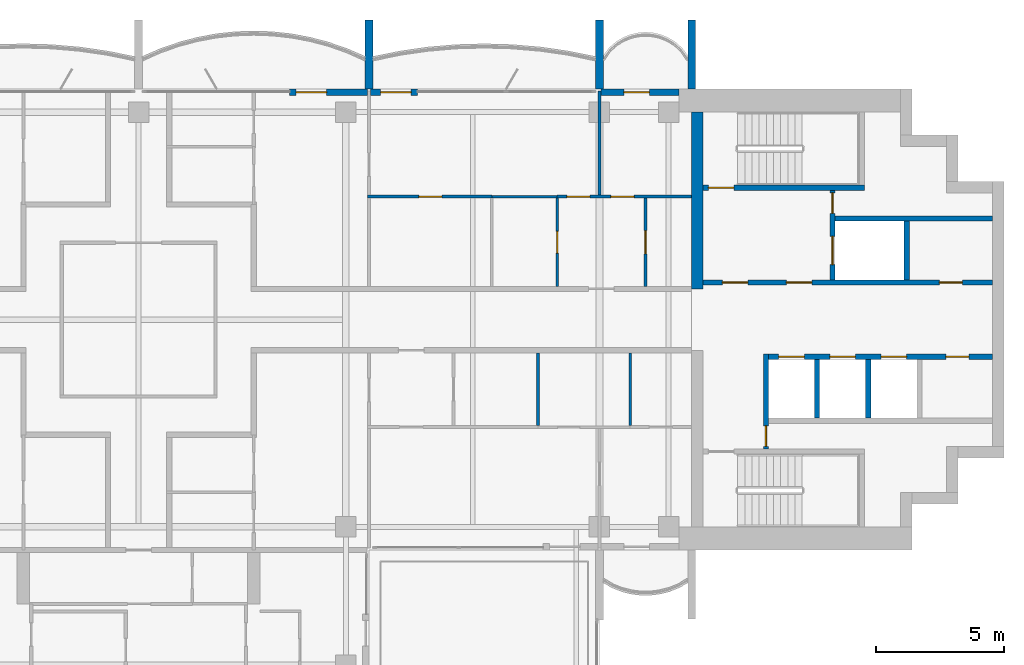
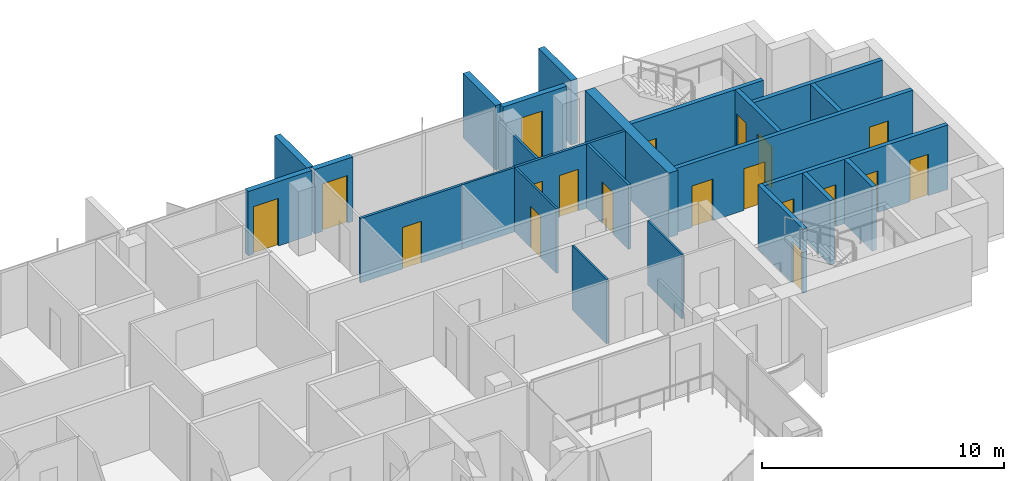
# One storey, part 11 of 16: 24 walls, 19 doors, 19 openings.
"""IFC4 building model written with IfcOpenShell, lengths in metres."""

from ifc_helpers import new_model, si_unit, direction, frame, frame_2d, origin, place, context, subcontext, project, spatial, rectangle, extrude, material, layer, layer_set, type_object, element, fill, save


model = new_model("IFC4")

# Units and contexts
model_context = context("Model", 3, precision=1e-05, world=origin(), true_north=direction((0.0, 1.0)))
body_context = subcontext(model_context, "Body", "Model", "MODEL_VIEW")
ifc_project = project(units=[si_unit("LENGTHUNIT", "METRE"), si_unit("AREAUNIT", "SQUARE_METRE"), si_unit("VOLUMEUNIT", "CUBIC_METRE"), si_unit("PLANEANGLEUNIT", "RADIAN"), si_unit("MASSUNIT", "GRAM", prefix="KILO")], contexts=[model_context])

# Site, building, storey
site_placement = place(None, origin())
site = spatial("IfcSite", under=ifc_project, at=site_placement, CompositionType="ELEMENT")
building_placement = place(site_placement, origin())
building = spatial("IfcBuilding", under=site, at=building_placement, Name="Perihelion Cross Residences", CompositionType="ELEMENT")
storey_placement = place(building_placement, frame((0.0, 0.0, 267.5)))
storey = spatial("IfcBuildingStorey", under=building, at=storey_placement, Name="L68", CompositionType="ELEMENT", Elevation=267.5)

# Wall, opening, door
ifc_material_1 = material(Name="Concrete C30/37, bronze-clad", Category="concrete")
ifc_layer_1 = layer(ifc_material_1, 0.25)
ifc_layer_set_1 = layer_set([ifc_layer_1], Name="Bronze-clad pier wall 250")
wall_type_1 = type_object("IfcWallType", Name="Bronze-clad pier wall 250", PredefinedType="SOLIDWALL", material=ifc_layer_set_1)
wall_1_placement = place(storey_placement, frame((21.10009765625, 8.875, 0.0), z_axis=(0.0, 0.0, 1.0), x_axis=(-1.0, 0.0, 0.0)))
wall_1 = element("IfcWall", 1, at=wall_1_placement, inside=storey, type_object=wall_type_1, Name="Wall FW1 L68 east side north bay 1 pier", PredefinedType="SOLIDWALL", context=body_context, shape_type="SweptSolid", body=[
    extrude(rectangle(XDim=3.0400390625, YDim=0.25, at=frame_2d((1.52001953125, 0.0))), origin(), (0.0, 0.0, 1.0), 3.25),
])
opening_1_placement = place(wall_1_placement, frame((1.14990234375, 0.0, 0.0)))
opening_1 = element("IfcOpeningElement", 2, at=opening_1_placement, cuts=wall_1, Name="Opening L68.E01", PredefinedType="OPENING", context=body_context, shape_type="SweptSolid", body=[
    extrude(rectangle(XDim=1.0, YDim=2.39990234375, at=frame_2d((0.5, 1.199951171875))), frame((0.0, 0.135009765625, 0.0), z_axis=(0.0, -1.0, 0.0), x_axis=(1.0, 0.0, 0.0)), (0.0, 0.0, 1.0), 0.27001953125),
])
ifc_material_2 = material(Name="Bronze anodised aluminium, glazed", Category="aluminium")
door_type_1 = type_object("IfcDoorType", Name="Balcony door 1000 x 2400", OperationType="NOTDEFINED", PredefinedType="DOOR", material=ifc_material_2)
door_1_placement = place(opening_1_placement, origin())
door_1 = element("IfcDoor", 3, at=door_1_placement, inside=storey, type_object=door_type_1, Name="Door L68.E01 east side north bay 1", OperationType="SINGLE_SWING_LEFT", OverallHeight=2.39990234375, OverallWidth=1.0, PredefinedType="DOOR", context=body_context, shape_type="SweptSolid", body=[
    extrude(rectangle(XDim=1.0, YDim=2.39990234375, at=frame_2d((0.5, 1.199951171875))), frame((0.0, 0.02490234375, 0.0), z_axis=(0.0, -1.0, 0.0), x_axis=(1.0, 0.0, 0.0)), (0.0, 0.0, 1.0), 0.050048828125),
])
fill(opening_1, door_1)

wall_2_placement = place(storey_placement, frame((10.89990234375, 8.875, 0.0), z_axis=(0.0, 0.0, 1.0), x_axis=(-1.0, 0.0, 0.0)))
wall_2 = element("IfcWall", 4, at=wall_2_placement, inside=storey, type_object=wall_type_1, Name="Wall FW1 L68 east side north bay 2 pier", PredefinedType="SOLIDWALL", context=body_context, shape_type="SweptSolid", body=[
    extrude(rectangle(XDim=1.83984375, YDim=0.25, at=frame_2d((0.919921875, 0.0))), origin(), (0.0, 0.0, 1.0), 3.25),
])
opening_2_placement = place(wall_2_placement, frame((0.25, 0.0, 0.0)))
opening_2 = element("IfcOpeningElement", 5, at=opening_2_placement, cuts=wall_2, Name="Opening L68.E02", PredefinedType="OPENING", context=body_context, shape_type="SweptSolid", body=[
    extrude(rectangle(XDim=1.199951171875, YDim=2.39990234375, at=frame_2d((0.60009765625, 1.199951171875))), frame((0.0, 0.135009765625, 0.0), z_axis=(0.0, -1.0, 0.0), x_axis=(1.0, 0.0, 0.0)), (0.0, 0.0, 1.0), 0.27001953125),
])
ifc_material_3 = material(Name="Bronze anodised aluminium, glazed", Category="aluminium")
door_type_2 = type_object("IfcDoorType", Name="Balcony door 1200 x 2400", OperationType="NOTDEFINED", PredefinedType="DOOR", material=ifc_material_3)
door_2_placement = place(opening_2_placement, origin())
door_2 = element("IfcDoor", 6, at=door_2_placement, inside=storey, type_object=door_type_2, Name="Door L68.E02 east side north bay 2", OperationType="SINGLE_SWING_RIGHT", OverallHeight=2.39990234375, OverallWidth=1.199951171875, PredefinedType="DOOR", context=body_context, shape_type="SweptSolid", body=[
    extrude(rectangle(XDim=1.199951171875, YDim=2.39990234375, at=frame_2d((0.60009765625, 1.199951171875))), frame((0.0, 0.02490234375, 0.0), z_axis=(0.0, -1.0, 0.0), x_axis=(1.0, 0.0, 0.0)), (0.0, 0.0, 1.0), 0.050048828125),
])
fill(opening_2, door_2)

wall_3_placement = place(storey_placement, frame((8.93994140625, 8.875, 0.0), z_axis=(0.0, 0.0, 1.0), x_axis=(-1.0, 0.0, 0.0)))
wall_3 = element("IfcWall", 7, at=wall_3_placement, inside=storey, type_object=wall_type_1, Name="Wall FW1 L68 north side east bay 1 pier", PredefinedType="SOLIDWALL", context=body_context, shape_type="SweptSolid", body=[
    extrude(rectangle(XDim=3.0400390625, YDim=0.25, at=frame_2d((1.52001953125, 0.0))), origin(), (0.0, 0.0, 1.0), 3.25),
])
opening_3_placement = place(wall_3_placement, frame((1.590087890625, 0.0, 0.0)))
opening_3 = element("IfcOpeningElement", 8, at=opening_3_placement, cuts=wall_3, Name="Opening L68.E03", PredefinedType="OPENING", context=body_context, shape_type="SweptSolid", body=[
    extrude(rectangle(XDim=1.199951171875, YDim=2.39990234375, at=frame_2d((0.60009765625, 1.199951171875))), frame((0.0, 0.135009765625, 0.0), z_axis=(0.0, -1.0, 0.0), x_axis=(1.0, 0.0, 0.0)), (0.0, 0.0, 1.0), 0.27001953125),
])
door_3_placement = place(opening_3_placement, origin())
door_3 = element("IfcDoor", 9, at=door_3_placement, inside=storey, type_object=door_type_2, Name="Door L68.E03 north side east bay 1", OperationType="SINGLE_SWING_LEFT", OverallHeight=2.39990234375, OverallWidth=1.199951171875, PredefinedType="DOOR", context=body_context, shape_type="SweptSolid", body=[
    extrude(rectangle(XDim=1.199951171875, YDim=2.39990234375, at=frame_2d((0.60009765625, 1.199951171875))), frame((0.0, 0.02490234375, 0.0), z_axis=(0.0, -1.0, 0.0), x_axis=(1.0, 0.0, 0.0)), (0.0, 0.0, 1.0), 0.050048828125),
])
fill(opening_3, door_3)

# Wall
ifc_material_4 = material(Name="Concrete C60/75", Category="concrete")
ifc_layer_2 = layer(ifc_material_4, 0.449951171875)
ifc_layer_set_2 = layer_set([ifc_layer_2], Name="Core wall, inner 450")
wall_type_2 = type_object("IfcWallType", Name="Core wall, inner 450", PredefinedType="SHEAR", material=ifc_layer_set_2)
wall_4_placement = place(storey_placement, frame((21.824951171875, 1.199951171875, 0.0), z_axis=(0.0, 0.0, 1.0), x_axis=(0.0, 1.0, 0.0)))
element("IfcWall", 10, at=wall_4_placement, inside=storey, type_object=wall_type_2, Name="East core core wall, inner", PredefinedType="SHEAR", context=body_context, shape_type="SweptSolid", body=[
    extrude(rectangle(XDim=6.900146484375, YDim=0.449951171875, at=frame_2d((3.4501953125, 0.0))), origin(), (0.0, 0.0, 1.0), 3.25),
])

# Wall, opening, door
ifc_material_5 = material(Name="Concrete C50/60", Category="concrete")
ifc_layer_3 = layer(ifc_material_5, 0.199951171875)
ifc_layer_set_3 = layer_set([ifc_layer_3], Name="Lobby wall 200")
wall_type_3 = type_object("IfcWallType", Name="Lobby wall 200", PredefinedType="SOLIDWALL", material=ifc_layer_set_3)
wall_5_placement = place(storey_placement, frame((24.5, -5.050048828125, 0.0), z_axis=(0.0, 0.0, 1.0), x_axis=(0.0, 1.0, 0.0)))
wall_5 = element("IfcWall", 11, at=wall_5_placement, inside=storey, type_object=wall_type_3, Name="East core lobby wall", PredefinedType="SOLIDWALL", context=body_context, shape_type="SweptSolid", body=[
    extrude(rectangle(XDim=3.699951171875, YDim=0.199951171875, at=frame_2d((1.85009765625, 0.0))), origin(), (0.0, 0.0, 1.0), 3.25),
])
opening_4_placement = place(wall_5_placement, frame((0.10009765625, 0.0, 0.0)))
opening_4 = element("IfcOpeningElement", 12, at=opening_4_placement, cuts=wall_5, Name="Opening L68.C08", PredefinedType="OPENING", context=body_context, shape_type="SweptSolid", body=[
    extrude(rectangle(XDim=0.800048828125, YDim=2.10009765625, at=frame_2d((0.39990234375, 1.050048828125))), frame((0.0, 0.10986328125, 0.0), z_axis=(0.0, -1.0, 0.0), x_axis=(1.0, 0.0, 0.0)), (0.0, 0.0, 1.0), 0.219970703125),
])
ifc_material_6 = material(Name="Steel, powder coated", Category="steel")
door_type_3 = type_object("IfcDoorType", Name="Riser door 800", OperationType="SINGLE_SWING_LEFT", PredefinedType="DOOR", material=ifc_material_6)
door_4_placement = place(opening_4_placement, origin())
door_4 = element("IfcDoor", 13, at=door_4_placement, inside=storey, type_object=door_type_3, Name="East core riser door", OperationType="SINGLE_SWING_LEFT", OverallHeight=2.10009765625, OverallWidth=0.800048828125, PredefinedType="DOOR", context=body_context, shape_type="SweptSolid", body=[
    extrude(rectangle(XDim=0.800048828125, YDim=2.10009765625, at=frame_2d((0.39990234375, 1.050048828125))), frame((0.0, 0.02490234375, 0.0), z_axis=(0.0, -1.0, 0.0), x_axis=(1.0, 0.0, 0.0)), (0.0, 0.0, 1.0), 0.050048828125),
])
fill(opening_4, door_4)

ifc_material_7 = material(Name="Plasterboard partition")
ifc_layer_4 = layer(ifc_material_7, 0.1201171875)
ifc_layer_set_4 = layer_set([ifc_layer_4], Name="Partition wall 120")
wall_type_4 = type_object("IfcWallType", Name="Partition wall 120", PredefinedType="PARTITIONING", material=ifc_layer_set_4)
wall_6_placement = place(storey_placement, frame((8.93994140625, 4.800048828125, 0.0), z_axis=(0.0, 0.0, 1.0), x_axis=(1.0, 0.0, 0.0)))
wall_6 = element("IfcWall", 14, at=wall_6_placement, inside=storey, type_object=wall_type_4, Name="Partition L68 W023", PredefinedType="PARTITIONING", context=body_context, shape_type="SweptSolid", body=[
    extrude(rectangle(XDim=4.860107421875, YDim=0.1201171875, at=frame_2d((2.43017578125, 0.0))), origin(), (0.0, 0.0, 1.0), 3.25),
])
opening_5_placement = place(wall_6_placement, frame((2.010009765625, 0.0, 0.0)))
opening_5 = element("IfcOpeningElement", 15, at=opening_5_placement, cuts=wall_6, Name="Opening L68.A05", PredefinedType="OPENING", context=body_context, shape_type="SweptSolid", body=[
    extrude(rectangle(XDim=0.89990234375, YDim=2.10009765625, at=frame_2d((0.449951171875, 1.050048828125))), frame((0.0, 0.070068359375, 0.0), z_axis=(0.0, -1.0, 0.0), x_axis=(1.0, 0.0, 0.0)), (0.0, 0.0, 1.0), 0.14013671875),
])
ifc_material_8 = material(Name="Timber door leaf", Category="wood")
door_type_4 = type_object("IfcDoorType", Name="Interior room door 900 x 2100", OperationType="SINGLE_SWING_LEFT", PredefinedType="DOOR", material=ifc_material_8)
door_5_placement = place(opening_5_placement, origin())
door_5 = element("IfcDoor", 16, at=door_5_placement, inside=storey, type_object=door_type_4, Name="Door L68.A05", OperationType="SINGLE_SWING_RIGHT", OverallHeight=2.10009765625, OverallWidth=0.89990234375, PredefinedType="DOOR", context=body_context, shape_type="SweptSolid", body=[
    extrude(rectangle(XDim=0.89990234375, YDim=2.10009765625, at=frame_2d((0.449951171875, 1.050048828125))), frame((0.0, 0.02490234375, 0.0), z_axis=(0.0, -1.0, 0.0), x_axis=(1.0, 0.0, 0.0)), (0.0, 0.0, 1.0), 0.050048828125),
])
fill(opening_5, door_5)

wall_7_placement = place(storey_placement, frame((19.800048828125, 4.739990234375, 0.0), z_axis=(0.0, 0.0, 1.0), x_axis=(0.0, -1.0, 0.0)))
wall_7 = element("IfcWall", 17, at=wall_7_placement, inside=storey, type_object=wall_type_4, Name="Partition L68 W027", PredefinedType="PARTITIONING", context=body_context, shape_type="SweptSolid", body=[
    extrude(rectangle(XDim=3.43994140625, YDim=0.1201171875, at=frame_2d((1.719970703125, 0.0))), origin(), (0.0, 0.0, 1.0), 3.25),
])
opening_6_placement = place(wall_7_placement, frame((1.27001953125, 0.0, 0.0)))
opening_6 = element("IfcOpeningElement", 18, at=opening_6_placement, cuts=wall_7, Name="Opening L68.A09", PredefinedType="OPENING", context=body_context, shape_type="SweptSolid", body=[
    extrude(rectangle(XDim=0.89990234375, YDim=2.10009765625, at=frame_2d((0.449951171875, 1.050048828125))), frame((0.0, 0.070068359375, 0.0), z_axis=(0.0, -1.0, 0.0), x_axis=(1.0, 0.0, 0.0)), (0.0, 0.0, 1.0), 0.14013671875),
])
door_6_placement = place(opening_6_placement, origin())
door_6 = element("IfcDoor", 19, at=door_6_placement, inside=storey, type_object=door_type_4, Name="Door L68.A09", OperationType="SINGLE_SWING_RIGHT", OverallHeight=2.10009765625, OverallWidth=0.89990234375, PredefinedType="DOOR", context=body_context, shape_type="SweptSolid", body=[
    extrude(rectangle(XDim=0.89990234375, YDim=2.10009765625, at=frame_2d((0.449951171875, 1.050048828125))), frame((0.0, 0.02490234375, 0.0), z_axis=(0.0, -1.0, 0.0), x_axis=(1.0, 0.0, 0.0)), (0.0, 0.0, 1.0), 0.050048828125),
])
fill(opening_6, door_6)

# Wall, openings, doors
wall_8_placement = place(storey_placement, frame((16.35009765625, 4.800048828125, 0.0), z_axis=(0.0, 0.0, 1.0), x_axis=(1.0, 0.0, 0.0)))
wall_8 = element("IfcWall", 20, at=wall_8_placement, inside=storey, type_object=wall_type_4, Name="Partition L68 W028", PredefinedType="PARTITIONING", context=body_context, shape_type="SweptSolid", body=[
    extrude(rectangle(XDim=5.25, YDim=0.1201171875, at=frame_2d((2.625, 0.0))), origin(), (0.0, 0.0, 1.0), 3.25),
])
opening_7_placement = place(wall_8_placement, frame((2.10009765625, 0.0, 0.0)))
opening_7 = element("IfcOpeningElement", 21, at=opening_7_placement, cuts=wall_8, Name="Opening L68.A07", PredefinedType="OPENING", context=body_context, shape_type="SweptSolid", body=[
    extrude(rectangle(XDim=0.89990234375, YDim=2.10009765625, at=frame_2d((0.449951171875, 1.050048828125))), frame((0.0, 0.070068359375, 0.0), z_axis=(0.0, -1.0, 0.0), x_axis=(1.0, 0.0, 0.0)), (0.0, 0.0, 1.0), 0.14013671875),
])
opening_8_placement = place(wall_8_placement, frame((0.375, 0.0, 0.0)))
opening_8 = element("IfcOpeningElement", 22, at=opening_8_placement, cuts=wall_8, Name="Opening L68.A08", PredefinedType="OPENING", context=body_context, shape_type="SweptSolid", body=[
    extrude(rectangle(XDim=0.89990234375, YDim=2.10009765625, at=frame_2d((0.449951171875, 1.050048828125))), frame((0.0, 0.070068359375, 0.0), z_axis=(0.0, -1.0, 0.0), x_axis=(1.0, 0.0, 0.0)), (0.0, 0.0, 1.0), 0.14013671875),
])
door_7_placement = place(opening_7_placement, origin())
door_7 = element("IfcDoor", 23, at=door_7_placement, inside=storey, type_object=door_type_4, Name="Door L68.A07", OperationType="SINGLE_SWING_LEFT", OverallHeight=2.10009765625, OverallWidth=0.89990234375, PredefinedType="DOOR", context=body_context, shape_type="SweptSolid", body=[
    extrude(rectangle(XDim=0.89990234375, YDim=2.10009765625, at=frame_2d((0.449951171875, 1.050048828125))), frame((0.0, 0.02490234375, 0.0), z_axis=(0.0, -1.0, 0.0), x_axis=(1.0, 0.0, 0.0)), (0.0, 0.0, 1.0), 0.050048828125),
])
fill(opening_7, door_7)
door_8_placement = place(opening_8_placement, origin())
door_8 = element("IfcDoor", 24, at=door_8_placement, inside=storey, type_object=door_type_4, Name="Door L68.A08", OperationType="SINGLE_SWING_RIGHT", OverallHeight=2.10009765625, OverallWidth=0.89990234375, PredefinedType="DOOR", context=body_context, shape_type="SweptSolid", body=[
    extrude(rectangle(XDim=0.89990234375, YDim=2.10009765625, at=frame_2d((0.449951171875, 1.050048828125))), frame((0.0, 0.02490234375, 0.0), z_axis=(0.0, -1.0, 0.0), x_axis=(1.0, 0.0, 0.0)), (0.0, 0.0, 1.0), 0.050048828125),
])
fill(opening_8, door_8)

# Walls
wall_9_placement = place(storey_placement, frame((18.0, 8.919921875, 0.0), z_axis=(0.0, 0.0, 1.0), x_axis=(0.0, -1.0, 0.0)))
element("IfcWall", 25, at=wall_9_placement, inside=storey, type_object=wall_type_4, Name="Partition L68 W029", PredefinedType="PARTITIONING", context=body_context, shape_type="SweptSolid", body=[
    extrude(rectangle(XDim=4.059814453125, YDim=0.1201171875, at=frame_2d((2.02978515625, 0.0))), origin(), (0.0, 0.0, 1.0), 2.49609375),
])
ifc_material_9 = material(Name="Precast concrete C50/60", Category="concrete")
ifc_layer_5 = layer(ifc_material_9, 0.300048828125)
ifc_layer_set_5 = layer_set([ifc_layer_5], Name="Precast concrete C50/60 blade wall 300")
wall_type_5 = type_object("IfcWallType", Name="Precast concrete C50/60 blade wall 300", PredefinedType="SOLIDWALL", material=ifc_layer_set_5)
for number, where, z_axis, x_axis, name in (
    (26, (9.0, 9.0, 0.0), (0.0, 0.0, 1.0), (0.0, 1.0, 0.0), "Wall BL1 L68 no. 16"),
    (27, (18.0, 9.0, 0.0), (0.0, 0.0, 1.0), (0.0, 1.0, 0.0), "Wall BL1 L68 no. 11"),
    (28, (21.60009765625, 9.0, 0.0), (0.0, 0.0, 1.0), (0.0, 1.0, 0.0), "Wall BL1 L68 no. 13"),
):
    element("IfcWall", number, at=place(storey_placement, frame(where, z_axis=z_axis, x_axis=x_axis)), inside=storey, type_object=wall_type_5, Name=name, PredefinedType="SOLIDWALL", context=body_context, shape_type="SweptSolid", body=[
        extrude(rectangle(XDim=2.699951171875, YDim=0.300048828125, at=frame_2d((1.35009765625, 0.0))), origin(), (0.0, 0.0, 1.0), 3.25),
    ])

# Wall, openings, doors
ifc_material_10 = material(Name="Concrete C50/60", Category="concrete")
ifc_layer_6 = layer(ifc_material_10, 0.199951171875)
ifc_layer_set_6 = layer_set([ifc_layer_6], Name="Shaft wall 200")
wall_type_6 = type_object("IfcWallType", Name="Shaft wall 200", PredefinedType="SOLIDWALL", material=ifc_layer_set_6)
wall_10_placement = place(storey_placement, frame((22.050048828125, 1.449951171875, 0.0), z_axis=(0.0, 0.0, 1.0), x_axis=(1.0, 0.0, 0.0)))
wall_10 = element("IfcWall", 29, at=wall_10_placement, inside=storey, type_object=wall_type_6, Name="East core shaft wall", PredefinedType="SOLIDWALL", context=body_context, shape_type="SweptSolid", body=[
    extrude(rectangle(XDim=11.300048828125, YDim=0.199951171875, at=frame_2d((5.64990234375, 0.0))), origin(), (0.0, 0.0, 1.0), 3.25),
])
opening_9_placement = place(wall_10_placement, frame((0.75, 0.0, 0.0)))
opening_9 = element("IfcOpeningElement", 30, at=opening_9_placement, cuts=wall_10, Name="Opening L68.C07", PredefinedType="OPENING", context=body_context, shape_type="SweptSolid", body=[
    extrude(rectangle(XDim=1.0, YDim=2.10009765625, at=frame_2d((0.5, 1.050048828125))), frame((0.0, 0.10986328125, 0.0), z_axis=(0.0, -1.0, 0.0), x_axis=(1.0, 0.0, 0.0)), (0.0, 0.0, 1.0), 0.219970703125),
])
opening_10_placement = place(wall_10_placement, frame((3.25, 0.0, 0.0)))
opening_10 = element("IfcOpeningElement", 31, at=opening_10_placement, cuts=wall_10, Name="Opening L68.C09", PredefinedType="OPENING", context=body_context, shape_type="SweptSolid", body=[
    extrude(rectangle(XDim=1.0, YDim=2.10009765625, at=frame_2d((0.5, 1.050048828125))), frame((0.0, 0.10986328125, 0.0), z_axis=(0.0, -1.0, 0.0), x_axis=(1.0, 0.0, 0.0)), (0.0, 0.0, 1.0), 0.219970703125),
])
opening_11_placement = place(wall_10_placement, frame((9.22509765625, 0.0, 0.0)))
opening_11 = element("IfcOpeningElement", 32, at=opening_11_placement, cuts=wall_10, Name="Opening L68.C11", PredefinedType="OPENING", context=body_context, shape_type="SweptSolid", body=[
    extrude(rectangle(XDim=0.89990234375, YDim=2.10009765625, at=frame_2d((0.449951171875, 1.050048828125))), frame((0.0, 0.10986328125, 0.0), z_axis=(0.0, -1.0, 0.0), x_axis=(1.0, 0.0, 0.0)), (0.0, 0.0, 1.0), 0.219970703125),
])
ifc_material_11 = material(Name="Steel, powder coated", Category="steel")
door_type_5 = type_object("IfcDoorType", Name="Lobby door 1000", OperationType="SINGLE_SWING_LEFT", PredefinedType="DOOR", material=ifc_material_11)
door_9_placement = place(opening_9_placement, origin())
door_9 = element("IfcDoor", 33, at=door_9_placement, inside=storey, type_object=door_type_5, Name="East core firefighting lobby door", OperationType="SINGLE_SWING_LEFT", OverallHeight=2.10009765625, OverallWidth=1.0, PredefinedType="DOOR", context=body_context, shape_type="SweptSolid", body=[
    extrude(rectangle(XDim=1.0, YDim=2.10009765625, at=frame_2d((0.5, 1.050048828125))), frame((0.0, 0.02490234375, 0.0), z_axis=(0.0, -1.0, 0.0), x_axis=(1.0, 0.0, 0.0)), (0.0, 0.0, 1.0), 0.050048828125),
])
fill(opening_9, door_9)
door_10_placement = place(opening_10_placement, origin())
door_10 = element("IfcDoor", 34, at=door_10_placement, inside=storey, type_object=door_type_5, Name="East core firefighting lobby door", OperationType="SINGLE_SWING_LEFT", OverallHeight=2.10009765625, OverallWidth=1.0, PredefinedType="DOOR", context=body_context, shape_type="SweptSolid", body=[
    extrude(rectangle(XDim=1.0, YDim=2.10009765625, at=frame_2d((0.5, 1.050048828125))), frame((0.0, 0.02490234375, 0.0), z_axis=(0.0, -1.0, 0.0), x_axis=(1.0, 0.0, 0.0)), (0.0, 0.0, 1.0), 0.050048828125),
])
fill(opening_10, door_10)
ifc_material_12 = material(Name="Steel, powder coated", Category="steel")
door_type_6 = type_object("IfcDoorType", Name="Service room door 900", OperationType="SINGLE_SWING_LEFT", PredefinedType="DOOR", material=ifc_material_12)
door_11_placement = place(opening_11_placement, origin())
door_11 = element("IfcDoor", 35, at=door_11_placement, inside=storey, type_object=door_type_6, Name="East core service room door", OperationType="SINGLE_SWING_LEFT", OverallHeight=2.10009765625, OverallWidth=0.89990234375, PredefinedType="DOOR", context=body_context, shape_type="SweptSolid", body=[
    extrude(rectangle(XDim=0.89990234375, YDim=2.10009765625, at=frame_2d((0.449951171875, 1.050048828125))), frame((0.0, 0.02490234375, 0.0), z_axis=(0.0, -1.0, 0.0), x_axis=(1.0, 0.0, 0.0)), (0.0, 0.0, 1.0), 0.050048828125),
])
fill(opening_11, door_11)

wall_11_placement = place(storey_placement, frame((24.60009765625, -1.449951171875, 0.0), z_axis=(0.0, 0.0, 1.0), x_axis=(1.0, 0.0, 0.0)))
wall_11 = element("IfcWall", 36, at=wall_11_placement, inside=storey, type_object=wall_type_6, Name="East core shaft wall", PredefinedType="SOLIDWALL", context=body_context, shape_type="SweptSolid", body=[
    extrude(rectangle(XDim=8.75, YDim=0.199951171875, at=frame_2d((4.375, 0.0))), origin(), (0.0, 0.0, 1.0), 3.25),
])
opening_12_placement = place(wall_11_placement, frame((0.39990234375, 0.0, 0.0)))
opening_12 = element("IfcOpeningElement", 37, at=opening_12_placement, cuts=wall_11, Name="Opening L68.C01", PredefinedType="OPENING", context=body_context, shape_type="SweptSolid", body=[
    extrude(rectangle(XDim=1.0, YDim=2.10009765625, at=frame_2d((0.5, 1.050048828125))), frame((0.0, 0.10986328125, 0.0), z_axis=(0.0, -1.0, 0.0), x_axis=(1.0, 0.0, 0.0)), (0.0, 0.0, 1.0), 0.219970703125),
])
opening_13_placement = place(wall_11_placement, frame((2.39990234375, 0.0, 0.0)))
opening_13 = element("IfcOpeningElement", 38, at=opening_13_placement, cuts=wall_11, Name="Opening L68.C03", PredefinedType="OPENING", context=body_context, shape_type="SweptSolid", body=[
    extrude(rectangle(XDim=1.0, YDim=2.10009765625, at=frame_2d((0.5, 1.050048828125))), frame((0.0, 0.10986328125, 0.0), z_axis=(0.0, -1.0, 0.0), x_axis=(1.0, 0.0, 0.0)), (0.0, 0.0, 1.0), 0.219970703125),
])
opening_14_placement = place(wall_11_placement, frame((4.39990234375, 0.0, 0.0)))
opening_14 = element("IfcOpeningElement", 39, at=opening_14_placement, cuts=wall_11, Name="Opening L68.C04", PredefinedType="OPENING", context=body_context, shape_type="SweptSolid", body=[
    extrude(rectangle(XDim=1.0, YDim=2.10009765625, at=frame_2d((0.5, 1.050048828125))), frame((0.0, 0.10986328125, 0.0), z_axis=(0.0, -1.0, 0.0), x_axis=(1.0, 0.0, 0.0)), (0.0, 0.0, 1.0), 0.219970703125),
])
opening_15_placement = place(wall_11_placement, frame((6.925048828125, 0.0, 0.0)))
opening_15 = element("IfcOpeningElement", 40, at=opening_15_placement, cuts=wall_11, Name="Opening L68.C12", PredefinedType="OPENING", context=body_context, shape_type="SweptSolid", body=[
    extrude(rectangle(XDim=0.89990234375, YDim=2.10009765625, at=frame_2d((0.449951171875, 1.050048828125))), frame((0.0, 0.10986328125, 0.0), z_axis=(0.0, -1.0, 0.0), x_axis=(1.0, 0.0, 0.0)), (0.0, 0.0, 1.0), 0.219970703125),
])
ifc_material_13 = material(Name="Stainless steel", Category="steel")
door_type_7 = type_object("IfcDoorType", Name="Landing door 1000", OperationType="DOUBLE_DOOR_SLIDING", PredefinedType="DOOR", material=ifc_material_13)
door_12_placement = place(opening_12_placement, origin())
door_12 = element("IfcDoor", 41, at=door_12_placement, inside=storey, type_object=door_type_7, Name="Landing door, East core high-rise lift 1", OperationType="DOUBLE_DOOR_SLIDING", OverallHeight=2.10009765625, OverallWidth=1.0, PredefinedType="DOOR", context=body_context, shape_type="SweptSolid", body=[
    extrude(rectangle(XDim=1.0, YDim=2.10009765625, at=frame_2d((0.5, 1.050048828125))), frame((0.0, 0.02490234375, 0.0), z_axis=(0.0, -1.0, 0.0), x_axis=(1.0, 0.0, 0.0)), (0.0, 0.0, 1.0), 0.050048828125),
])
fill(opening_12, door_12)
door_13_placement = place(opening_13_placement, origin())
door_13 = element("IfcDoor", 42, at=door_13_placement, inside=storey, type_object=door_type_7, Name="Landing door, East core high-rise lift 2", OperationType="DOUBLE_DOOR_SLIDING", OverallHeight=2.10009765625, OverallWidth=1.0, PredefinedType="DOOR", context=body_context, shape_type="SweptSolid", body=[
    extrude(rectangle(XDim=1.0, YDim=2.10009765625, at=frame_2d((0.5, 1.050048828125))), frame((0.0, 0.02490234375, 0.0), z_axis=(0.0, -1.0, 0.0), x_axis=(1.0, 0.0, 0.0)), (0.0, 0.0, 1.0), 0.050048828125),
])
fill(opening_13, door_13)
door_14_placement = place(opening_14_placement, origin())
door_14 = element("IfcDoor", 43, at=door_14_placement, inside=storey, type_object=door_type_7, Name="Landing door, East core high-rise lift 3", OperationType="DOUBLE_DOOR_SLIDING", OverallHeight=2.10009765625, OverallWidth=1.0, PredefinedType="DOOR", context=body_context, shape_type="SweptSolid", body=[
    extrude(rectangle(XDim=1.0, YDim=2.10009765625, at=frame_2d((0.5, 1.050048828125))), frame((0.0, 0.02490234375, 0.0), z_axis=(0.0, -1.0, 0.0), x_axis=(1.0, 0.0, 0.0)), (0.0, 0.0, 1.0), 0.050048828125),
])
fill(opening_14, door_14)
door_15_placement = place(opening_15_placement, origin())
door_15 = element("IfcDoor", 44, at=door_15_placement, inside=storey, type_object=door_type_6, Name="East core service room door", OperationType="SINGLE_SWING_LEFT", OverallHeight=2.10009765625, OverallWidth=0.89990234375, PredefinedType="DOOR", context=body_context, shape_type="SweptSolid", body=[
    extrude(rectangle(XDim=0.89990234375, YDim=2.10009765625, at=frame_2d((0.449951171875, 1.050048828125))), frame((0.0, 0.02490234375, 0.0), z_axis=(0.0, -1.0, 0.0), x_axis=(1.0, 0.0, 0.0)), (0.0, 0.0, 1.0), 0.050048828125),
])
fill(opening_15, door_15)

# Wall
wall_12_placement = place(storey_placement, frame((27.199951171875, 3.949951171875, 0.0), z_axis=(0.0, 0.0, 1.0), x_axis=(1.0, 0.0, 0.0)))
element("IfcWall", 45, at=wall_12_placement, inside=storey, type_object=wall_type_6, Name="East core shaft wall", PredefinedType="SOLIDWALL", context=body_context, shape_type="SweptSolid", body=[
    extrude(rectangle(XDim=6.150146484375, YDim=0.199951171875, at=frame_2d((3.0751953125, 0.0))), origin(), (0.0, 0.0, 1.0), 3.25),
])

# Wall, openings, doors
wall_13_placement = place(storey_placement, frame((27.10009765625, 1.550048828125, 0.0), z_axis=(0.0, 0.0, 1.0), x_axis=(0.0, 1.0, 0.0)))
wall_13 = element("IfcWall", 46, at=wall_13_placement, inside=storey, type_object=wall_type_6, Name="East core shaft wall", PredefinedType="SOLIDWALL", context=body_context, shape_type="SweptSolid", body=[
    extrude(rectangle(XDim=3.5, YDim=0.199951171875, at=frame_2d((1.75, 0.0))), origin(), (0.0, 0.0, 1.0), 3.25),
])
opening_16_placement = place(wall_13_placement, frame((0.60009765625, 0.0, 0.0)))
opening_16 = element("IfcOpeningElement", 47, at=opening_16_placement, cuts=wall_13, Name="Opening L68.C02", PredefinedType="OPENING", context=body_context, shape_type="SweptSolid", body=[
    extrude(rectangle(XDim=1.10009765625, YDim=2.10009765625, at=frame_2d((0.550048828125, 1.050048828125))), frame((0.0, 0.10986328125, 0.0), z_axis=(0.0, -1.0, 0.0), x_axis=(1.0, 0.0, 0.0)), (0.0, 0.0, 1.0), 0.219970703125),
])
opening_17_placement = place(wall_13_placement, frame((2.60009765625, 0.0, 0.0)))
opening_17 = element("IfcOpeningElement", 48, at=opening_17_placement, cuts=wall_13, Name="Opening L68.C10", PredefinedType="OPENING", context=body_context, shape_type="SweptSolid", body=[
    extrude(rectangle(XDim=0.800048828125, YDim=2.10009765625, at=frame_2d((0.39990234375, 1.050048828125))), frame((0.0, 0.10986328125, 0.0), z_axis=(0.0, -1.0, 0.0), x_axis=(1.0, 0.0, 0.0)), (0.0, 0.0, 1.0), 0.219970703125),
])
ifc_material_14 = material(Name="Stainless steel", Category="steel")
door_type_8 = type_object("IfcDoorType", Name="Landing door, firefighting lift 1100", OperationType="DOUBLE_DOOR_SLIDING", PredefinedType="DOOR", material=ifc_material_14)
door_16_placement = place(opening_16_placement, origin())
door_16 = element("IfcDoor", 49, at=door_16_placement, inside=storey, type_object=door_type_8, Name="Landing door, East core firefighting and service lift", OperationType="DOUBLE_DOOR_SLIDING", OverallHeight=2.10009765625, OverallWidth=1.10009765625, PredefinedType="DOOR", context=body_context, shape_type="SweptSolid", body=[
    extrude(rectangle(XDim=1.10009765625, YDim=2.10009765625, at=frame_2d((0.550048828125, 1.050048828125))), frame((0.0, 0.02490234375, 0.0), z_axis=(0.0, -1.0, 0.0), x_axis=(1.0, 0.0, 0.0)), (0.0, 0.0, 1.0), 0.050048828125),
])
fill(opening_16, door_16)
door_17_placement = place(opening_17_placement, origin())
door_17 = element("IfcDoor", 50, at=door_17_placement, inside=storey, type_object=door_type_3, Name="East core riser door", OperationType="SINGLE_SWING_LEFT", OverallHeight=2.10009765625, OverallWidth=0.800048828125, PredefinedType="DOOR", context=body_context, shape_type="SweptSolid", body=[
    extrude(rectangle(XDim=0.800048828125, YDim=2.10009765625, at=frame_2d((0.39990234375, 1.050048828125))), frame((0.0, 0.02490234375, 0.0), z_axis=(0.0, -1.0, 0.0), x_axis=(1.0, 0.0, 0.0)), (0.0, 0.0, 1.0), 0.050048828125),
])
fill(opening_17, door_17)

# Walls
for number, where, z_axis, x_axis, name in (
    (51, (30.0, 1.550048828125, 0.0), (0.0, 0.0, 1.0), (0.0, 1.0, 0.0), "East core shaft wall"),
    (52, (26.5, -3.85009765625, 0.0), (0.0, 0.0, 1.0), (0.0, 1.0, 0.0), "East core shaft wall"),
    (53, (28.5, -3.85009765625, 0.0), (0.0, 0.0, 1.0), (0.0, 1.0, 0.0), "East core shaft wall"),
):
    element("IfcWall", number, at=place(storey_placement, frame(where, z_axis=z_axis, x_axis=x_axis)), inside=storey, type_object=wall_type_6, Name=name, PredefinedType="SOLIDWALL", context=body_context, shape_type="SweptSolid", body=[
        extrude(rectangle(XDim=2.300048828125, YDim=0.199951171875, at=frame_2d((1.14990234375, 0.0))), origin(), (0.0, 0.0, 1.0), 3.25),
    ])

# Wall, opening, door
ifc_material_15 = material(Name="Concrete C50/60", Category="concrete")
ifc_layer_7 = layer(ifc_material_15, 0.199951171875)
ifc_layer_set_7 = layer_set([ifc_layer_7], Name="Stair wall 200")
wall_type_7 = type_object("IfcWallType", Name="Stair wall 200", PredefinedType="SOLIDWALL", material=ifc_layer_set_7)
wall_14_placement = place(storey_placement, frame((22.050048828125, 5.14990234375, 0.0), z_axis=(0.0, 0.0, 1.0), x_axis=(1.0, 0.0, 0.0)))
wall_14 = element("IfcWall", 54, at=wall_14_placement, inside=storey, type_object=wall_type_7, Name="East core stair wall", PredefinedType="SOLIDWALL", context=body_context, shape_type="SweptSolid", body=[
    extrude(rectangle(XDim=6.300048828125, YDim=0.199951171875, at=frame_2d((3.14990234375, 0.0))), origin(), (0.0, 0.0, 1.0), 3.25),
])
opening_18_placement = place(wall_14_placement, frame((0.199951171875, 0.0, 0.0)))
opening_18 = element("IfcOpeningElement", 55, at=opening_18_placement, cuts=wall_14, Name="Opening L68.C06", PredefinedType="OPENING", context=body_context, shape_type="SweptSolid", body=[
    extrude(rectangle(XDim=1.0, YDim=2.10009765625, at=frame_2d((0.5, 1.050048828125))), frame((0.0, 0.10986328125, 0.0), z_axis=(0.0, -1.0, 0.0), x_axis=(1.0, 0.0, 0.0)), (0.0, 0.0, 1.0), 0.219970703125),
])
ifc_material_16 = material(Name="Steel, powder coated", Category="steel")
door_type_9 = type_object("IfcDoorType", Name="Stair door 1000", OperationType="SINGLE_SWING_LEFT", PredefinedType="DOOR", material=ifc_material_16)
door_18_placement = place(opening_18_placement, origin())
door_18 = element("IfcDoor", 56, at=door_18_placement, inside=storey, type_object=door_type_9, Name="East core stair door", OperationType="SINGLE_SWING_LEFT", OverallHeight=2.10009765625, OverallWidth=1.0, PredefinedType="DOOR", context=body_context, shape_type="SweptSolid", body=[
    extrude(rectangle(XDim=1.0, YDim=2.10009765625, at=frame_2d((0.5, 1.050048828125))), frame((0.0, 0.02490234375, 0.0), z_axis=(0.0, -1.0, 0.0), x_axis=(1.0, 0.0, 0.0)), (0.0, 0.0, 1.0), 0.050048828125),
])
fill(opening_18, door_18)

ifc_material_17 = material(Name="Plasterboard partition")
ifc_layer_8 = layer(ifc_material_17, 0.10009765625)
ifc_layer_set_8 = layer_set([ifc_layer_8], Name="Wet room wall 100")
wall_type_8 = type_object("IfcWallType", Name="Wet room wall 100", PredefinedType="PARTITIONING", material=ifc_layer_set_8)
wall_15_placement = place(storey_placement, frame((16.35009765625, 4.739990234375, 0.0), z_axis=(0.0, 0.0, 1.0), x_axis=(0.0, -1.0, 0.0)))
wall_15 = element("IfcWall", 57, at=wall_15_placement, inside=storey, type_object=wall_type_8, Name="Partition L68 W025", PredefinedType="PARTITIONING", context=body_context, shape_type="SweptSolid", body=[
    extrude(rectangle(XDim=3.43994140625, YDim=0.10009765625, at=frame_2d((1.719970703125, 0.0))), origin(), (0.0, 0.0, 1.0), 3.25),
])
opening_19_placement = place(wall_15_placement, frame((1.294921875, 0.0, 0.0)))
opening_19 = element("IfcOpeningElement", 58, at=opening_19_placement, cuts=wall_15, Name="Opening L68.A02", PredefinedType="OPENING", context=body_context, shape_type="SweptSolid", body=[
    extrude(rectangle(XDim=0.85009765625, YDim=2.10009765625, at=frame_2d((0.425048828125, 1.050048828125))), frame((0.0, 0.06005859375, 0.0), z_axis=(0.0, -1.0, 0.0), x_axis=(1.0, 0.0, 0.0)), (0.0, 0.0, 1.0), 0.1201171875),
])
ifc_material_18 = material(Name="Timber door leaf", Category="wood")
door_type_10 = type_object("IfcDoorType", Name="Interior bathroom door 850 x 2100", OperationType="SINGLE_SWING_LEFT", PredefinedType="DOOR", material=ifc_material_18)
door_19_placement = place(opening_19_placement, origin())
door_19 = element("IfcDoor", 59, at=door_19_placement, inside=storey, type_object=door_type_10, Name="Door L68.A02", OperationType="SINGLE_SWING_RIGHT", OverallHeight=2.10009765625, OverallWidth=0.85009765625, PredefinedType="DOOR", context=body_context, shape_type="SweptSolid", body=[
    extrude(rectangle(XDim=0.85009765625, YDim=2.10009765625, at=frame_2d((0.425048828125, 1.050048828125))), frame((0.0, 0.02490234375, 0.0), z_axis=(0.0, -1.0, 0.0), x_axis=(1.0, 0.0, 0.0)), (0.0, 0.0, 1.0), 0.050048828125),
])
fill(opening_19, door_19)

# Walls
wall_16_placement = place(storey_placement, frame((13.800048828125, 4.800048828125, 0.0), z_axis=(0.0, 0.0, 1.0), x_axis=(1.0, 0.0, 0.0)))
element("IfcWall", 60, at=wall_16_placement, inside=storey, type_object=wall_type_8, Name="Partition L68 W026", PredefinedType="PARTITIONING", context=body_context, shape_type="SweptSolid", body=[
    extrude(rectangle(XDim=2.550048828125, YDim=0.10009765625, at=frame_2d((1.27490234375, 0.0))), origin(), (0.0, 0.0, 1.0), 3.25),
])
for number, where, z_axis, x_axis, name in (
    (61, (15.60009765625, -1.300048828125, 0.0), (0.0, 0.0, 1.0), (0.0, -1.0, 0.0), "Partition L68 W036"),
    (62, (19.199951171875, -1.300048828125, 0.0), (0.0, 0.0, 1.0), (0.0, -1.0, 0.0), "Partition L68 W037"),
):
    element("IfcWall", number, at=place(storey_placement, frame(where, z_axis=z_axis, x_axis=x_axis)), inside=storey, type_object=wall_type_8, Name=name, PredefinedType="PARTITIONING", context=body_context, shape_type="SweptSolid", body=[
        extrude(rectangle(XDim=2.83984375, YDim=0.10009765625, at=frame_2d((1.419921875, 0.0))), origin(), (0.0, 0.0, 1.0), 3.25),
    ])

save(model, "model.ifc")
